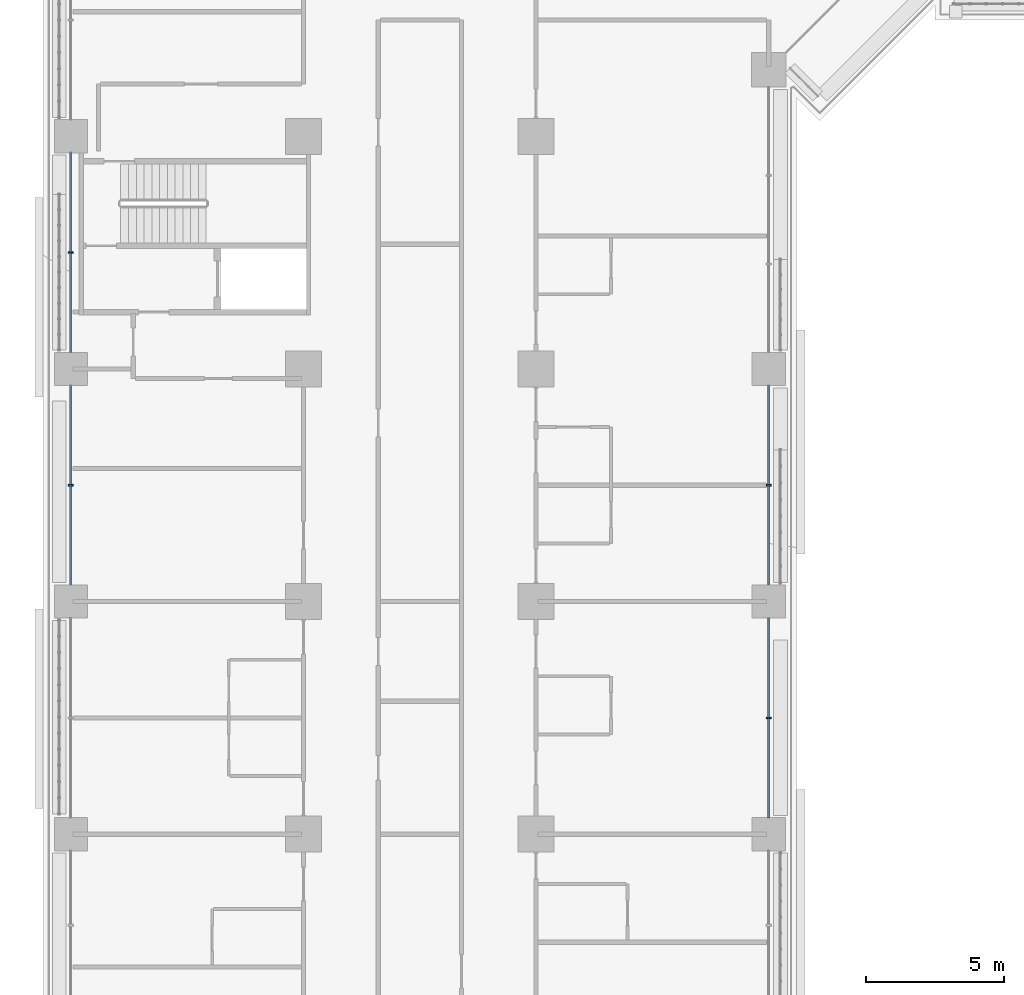
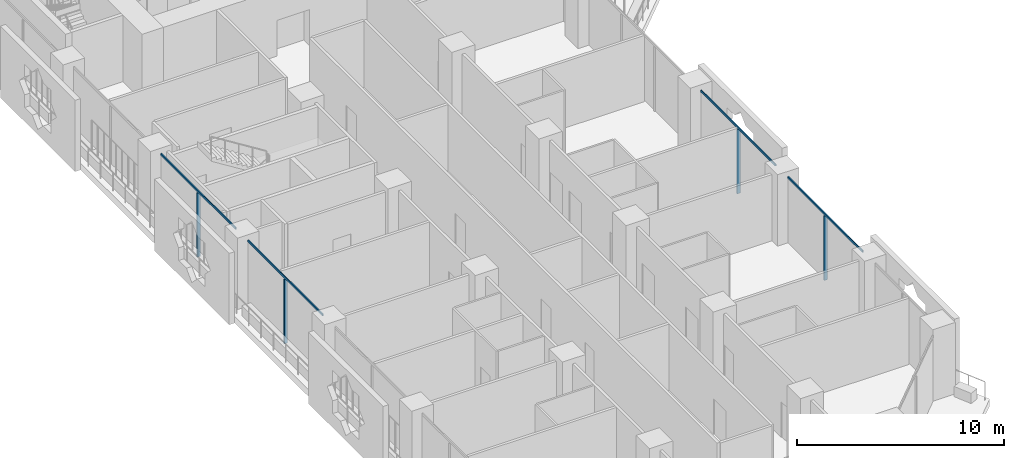
# One storey, part 3 of 28: 8 members, 2 elements without a shape of their own.
"""IFC4 building model written with IfcOpenShell, lengths in metres."""

from ifc_helpers import new_model, si_unit, direction, frame, origin, origin_2d, place, context, subcontext, project, spatial, rectangle, extrude, material, layer, layer_set, material_profile, profile_set, type_object, element, aggregate, save


model = new_model("IFC4")

# Units and contexts
model_context = context("Model", 3, precision=1e-05, world=origin(), true_north=direction((0.0, 1.0)))
body_context = subcontext(model_context, "Body", "Model", "MODEL_VIEW")
ifc_project = project(units=[si_unit("LENGTHUNIT", "METRE"), si_unit("AREAUNIT", "SQUARE_METRE"), si_unit("VOLUMEUNIT", "CUBIC_METRE"), si_unit("PLANEANGLEUNIT", "RADIAN"), si_unit("MASSUNIT", "GRAM", prefix="KILO")], contexts=[model_context])

# Site, building, storey
site_placement = place(None, origin())
site = spatial("IfcSite", under=ifc_project, at=site_placement, CompositionType="ELEMENT")
building_placement = place(site_placement, origin())
building = spatial("IfcBuilding", under=site, at=building_placement, Name="Kawkab Arch Medical Tower", CompositionType="ELEMENT")
storey_placement = place(building_placement, frame((0.0, 0.0, 72.800048828125)))
storey = spatial("IfcBuildingStorey", under=building, at=storey_placement, Name="L16", CompositionType="ELEMENT", Elevation=72.800048828125)

# Curtain wall, members
ifc_material_1 = material(Name="Bronze anodised aluminium curtain wall frame", Category="aluminium")
ifc_layer = layer(ifc_material_1, 0.159912109375)
ifc_layer_set = layer_set([ifc_layer], Name="Bronze anodised aluminium curtain wall frame")
curtain_wall_type = type_object("IfcCurtainWallType", Name="CW1 ward curtain wall", PredefinedType="NOTDEFINED", material=ifc_layer_set)
placement = place(storey_placement, origin())
curtain_wall_1 = element("IfcCurtainWall", 1, at=placement, inside=storey, type_object=curtain_wall_type, Name="CW1 Ward curtain wall R01", PredefinedType="NOTDEFINED")
ifc_material_2 = material(Name="Bronze anodised aluminium curtain wall frame", Category="aluminium")
ifc_material_profile_1 = material_profile(ifc_material_2, rectangle(XDim=0.179931640625, YDim=0.06005859375, at=origin_2d()), Name="AL 60x180")
ifc_profile_set_1 = profile_set([ifc_material_profile_1], Name="Bronze anodised aluminium curtain wall frame")
member_type_1 = type_object("IfcMemberType", Name="CW1 mullion 60 x 180", PredefinedType="MULLION", material=ifc_profile_set_1)
member_1_placement = place(storey_placement, frame((0.0, -37.800048828125, 0.0), z_axis=(0.0, 0.0, 1.0), x_axis=(1.0, 0.0, 0.0)))
member_1 = element("IfcMember", 2, at=member_1_placement, type_object=member_type_1, Name="CW1 mullion 4.1", PredefinedType="MULLION", context=body_context, shape_type="SweptSolid", body=[
    extrude(rectangle(XDim=0.179931640625, YDim=0.06005859375, at=origin_2d()), origin(), (0.0, 0.0, 1.0), 3.780029296875),
])
member_2_placement = place(storey_placement, frame((0.0, -46.199951171875, 0.0), z_axis=(0.0, 0.0, 1.0), x_axis=(1.0, 0.0, 0.0)))
member_2 = element("IfcMember", 3, at=member_2_placement, type_object=member_type_1, Name="CW1 mullion 5.1", PredefinedType="MULLION", context=body_context, shape_type="SweptSolid", body=[
    extrude(rectangle(XDim=0.179931640625, YDim=0.06005859375, at=origin_2d()), origin(), (0.0, 0.0, 1.0), 3.780029296875),
])

curtain_wall_2 = element("IfcCurtainWall", 4, at=placement, inside=storey, type_object=curtain_wall_type, Name="CW1 Ward curtain wall R05", PredefinedType="NOTDEFINED")
member_3_placement = place(storey_placement, frame((25.199951171875, -54.60009765625, 0.0), z_axis=(0.0, 0.0, 1.0), x_axis=(-1.0, 0.0, 0.0)))
member_3 = element("IfcMember", 5, at=member_3_placement, type_object=member_type_1, Name="CW1 mullion 2.1", PredefinedType="MULLION", context=body_context, shape_type="SweptSolid", body=[
    extrude(rectangle(XDim=0.179931640625, YDim=0.06005859375, at=origin_2d()), origin(), (0.0, 0.0, 1.0), 3.780029296875),
])
member_4_placement = place(storey_placement, frame((25.199951171875, -46.199951171875, 0.0), z_axis=(0.0, 0.0, 1.0), x_axis=(-1.0, 0.0, 0.0)))
member_4 = element("IfcMember", 6, at=member_4_placement, type_object=member_type_1, Name="CW1 mullion 3.1", PredefinedType="MULLION", context=body_context, shape_type="SweptSolid", body=[
    extrude(rectangle(XDim=0.179931640625, YDim=0.06005859375, at=origin_2d()), origin(), (0.0, 0.0, 1.0), 3.780029296875),
])

# Member
ifc_material_3 = material(Name="Bronze anodised aluminium curtain wall frame", Category="aluminium")
ifc_material_profile_2 = material_profile(ifc_material_3, rectangle(XDim=0.06005859375, YDim=0.1201171875, at=origin_2d()), Name="AL 60x120")
ifc_profile_set_2 = profile_set([ifc_material_profile_2], Name="Bronze anodised aluminium curtain wall frame")
member_type_2 = type_object("IfcMemberType", Name="CW1 transom 120 x 60", PredefinedType="USERDEFINED", material=ifc_profile_set_2)
member_5_placement = place(storey_placement, frame((0.0, -34.199951171875, 3.83984375), z_axis=(0.0, -1.0, 0.0), x_axis=(1.0, 0.0, 0.0)))
member_5 = element("IfcMember", 7, at=member_5_placement, type_object=member_type_2, Name="CW1 transom 4", ObjectType="TRANSOM", PredefinedType="USERDEFINED", context=body_context, shape_type="SweptSolid", body=[
    extrude(rectangle(XDim=0.06005859375, YDim=0.1201171875, at=origin_2d()), origin(), (0.0, 0.0, 1.0), 7.199951171875),
])

member_6_placement = place(storey_placement, frame((0.0, -42.60009765625, 3.83984375), z_axis=(0.0, -1.0, 0.0), x_axis=(1.0, 0.0, 0.0)))
member_6 = element("IfcMember", 8, at=member_6_placement, type_object=member_type_2, Name="CW1 transom 5", ObjectType="TRANSOM", PredefinedType="USERDEFINED", context=body_context, shape_type="SweptSolid", body=[
    extrude(rectangle(XDim=0.06005859375, YDim=0.1201171875, at=origin_2d()), origin(), (0.0, 0.0, 1.0), 7.199951171875),
])

aggregate(curtain_wall_1, [member_5, member_1, member_6, member_2])

member_7_placement = place(storey_placement, frame((25.199951171875, -58.199951171875, 3.83984375), z_axis=(0.0, 1.0, 0.0), x_axis=(-1.0, 0.0, 0.0)))
member_7 = element("IfcMember", 9, at=member_7_placement, type_object=member_type_2, Name="CW1 transom 2", ObjectType="TRANSOM", PredefinedType="USERDEFINED", context=body_context, shape_type="SweptSolid", body=[
    extrude(rectangle(XDim=0.06005859375, YDim=0.1201171875, at=origin_2d()), origin(), (0.0, 0.0, 1.0), 7.199951171875),
])

member_8_placement = place(storey_placement, frame((25.199951171875, -49.800048828125, 3.83984375), z_axis=(0.0, 1.0, 0.0), x_axis=(-1.0, 0.0, 0.0)))
member_8 = element("IfcMember", 10, at=member_8_placement, type_object=member_type_2, Name="CW1 transom 3", ObjectType="TRANSOM", PredefinedType="USERDEFINED", context=body_context, shape_type="SweptSolid", body=[
    extrude(rectangle(XDim=0.06005859375, YDim=0.1201171875, at=origin_2d()), origin(), (0.0, 0.0, 1.0), 7.199951171875),
])

aggregate(curtain_wall_2, [member_7, member_3, member_8, member_4])

save(model, "model.ifc")
